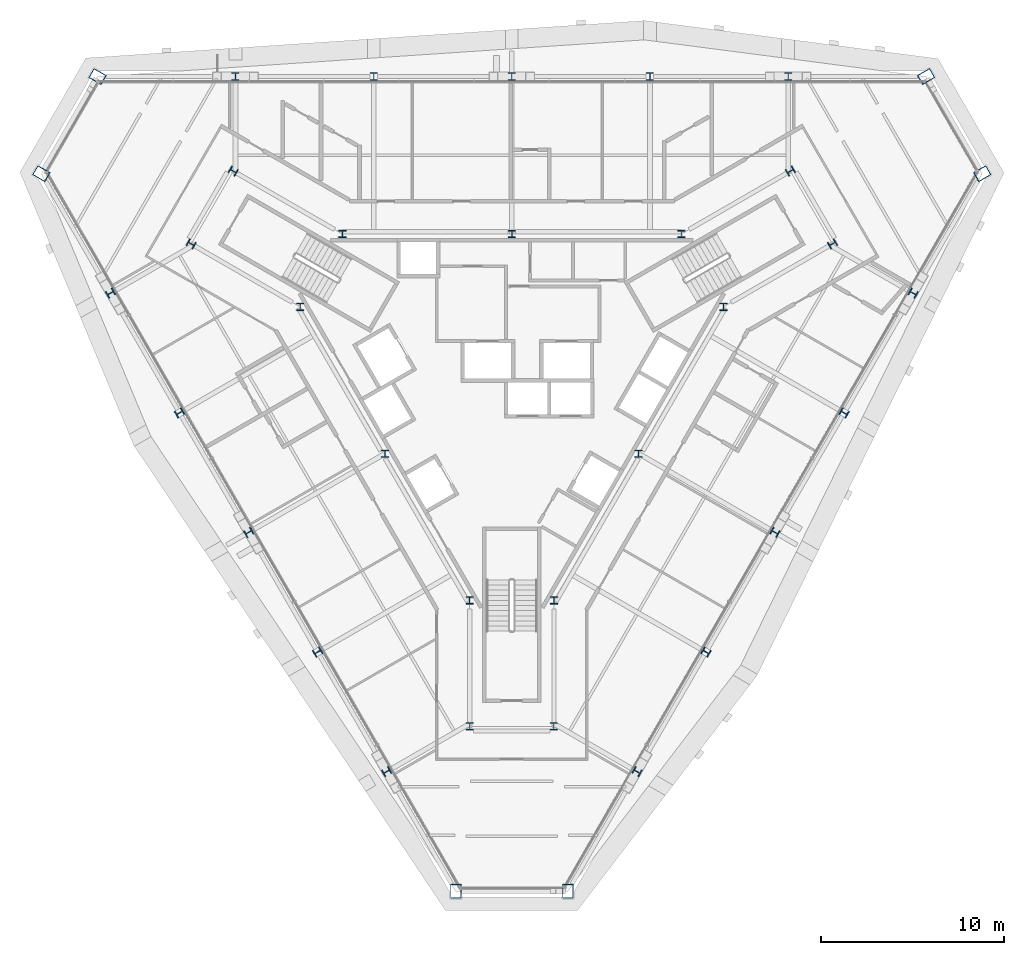
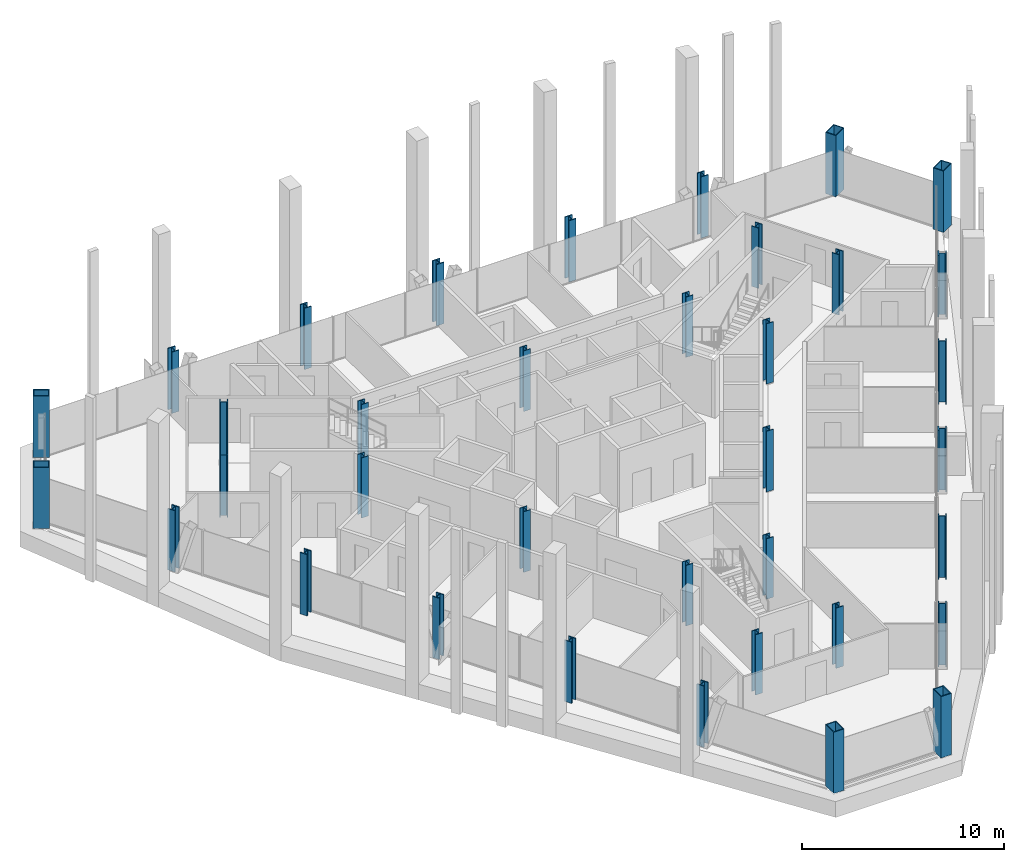
# One storey, part 1 of 14: 36 columns.
"""IFC4 building model written with IfcOpenShell, lengths in metres."""

from ifc_helpers import new_model, si_unit, direction, frame, origin, origin_2d, place, context, subcontext, project, spatial, hollow_rectangle, i_section, extrude, material, material_profile, profile_set, type_object, element, save


model = new_model("IFC4")

# Units and contexts
model_context = context("Model", 3, precision=1e-05, world=origin(), true_north=direction((0.0, 1.0)))
body_context = subcontext(model_context, "Body", "Model", "MODEL_VIEW")
ifc_project = project(units=[si_unit("LENGTHUNIT", "METRE"), si_unit("AREAUNIT", "SQUARE_METRE"), si_unit("VOLUMEUNIT", "CUBIC_METRE"), si_unit("PLANEANGLEUNIT", "RADIAN"), si_unit("MASSUNIT", "GRAM", prefix="KILO")], contexts=[model_context])

# Site, building, storey
site_placement = place(None, origin())
site = spatial("IfcSite", under=ifc_project, at=site_placement, CompositionType="ELEMENT")
building_placement = place(site_placement, origin())
building = spatial("IfcBuilding", under=site, at=building_placement, Name="Verrane Prism Tower", CompositionType="ELEMENT")
storey_placement = place(building_placement, frame((0.0, 0.0, 148.800048828125)))
storey = spatial("IfcBuildingStorey", under=building, at=storey_placement, Name="L36", CompositionType="ELEMENT", Elevation=148.800048828125)

# Columns
ifc_material_1 = material(Name="Steel A992", Category="steel")
ifc_material_profile_1 = material_profile(ifc_material_1, i_section(OverallWidth=0.406494140625, OverallDepth=0.41650390625, WebThickness=0.030029296875, FlangeThickness=0.048095703125, FilletRadius=0.01513671875, at=origin_2d()), Name="W14x257")
ifc_profile_set_1 = profile_set([ifc_material_profile_1], Name="Steel A992")
column_type_1 = type_object("IfcColumnType", Name="Core corner column W14x257", PredefinedType="COLUMN", material=ifc_profile_set_1)
for number, where, z_axis, x_axis, name in (
    (1, (17.52001953125, 7.4599609375, 0.054931640625), (0.0, 0.0, 1.0), (0.5, -0.866025403784, 0.0), "Core corner column CK-NEm L36"),
    (2, (15.219970703125, 11.43994140625, 0.054931640625), (0.0, 0.0, 1.0), (0.5, -0.866025403784, 0.0), "Core corner column CK-NEp L36"),
    (3, (-15.219970703125, 11.43994140625, 0.054931640625), (0.0, 0.0, 1.0), (0.5, 0.866025403784, 0.0), "Core corner column CK-NWm L36"),
    (4, (-17.52001953125, 7.4599609375, 0.054931640625), (0.0, 0.0, 1.0), (0.5, 0.866025403784, 0.0), "Core corner column CK-NWp L36"),
    (5, (-2.300048828125, -18.89990234375, 0.054931640625), (0.0, 0.0, 1.0), (-1.0, 0.0, 0.0), "Core corner column CK-Sm L36"),
    (6, (2.300048828125, -18.89990234375, 0.054931640625), (0.0, 0.0, 1.0), (-1.0, 0.0, 0.0), "Core corner column CK-Sp L36"),
):
    element("IfcColumn", number, at=place(storey_placement, frame(where, z_axis=z_axis, x_axis=x_axis)), inside=storey, type_object=column_type_1, Name=name, PredefinedType="COLUMN", context=body_context, shape_type="SweptSolid", body=[
        extrude(i_section(OverallWidth=0.406494140625, OverallDepth=0.41650390625, WebThickness=0.030029296875, FlangeThickness=0.048095703125, FilletRadius=0.01513671875, at=origin_2d()), origin(), (0.0, 0.0, 1.0), 3.64501953125),
    ])
ifc_material_2 = material(Name="Steel A992", Category="steel")
ifc_material_profile_2 = material_profile(ifc_material_2, i_section(OverallWidth=0.4013671875, OverallDepth=0.398681640625, WebThickness=0.02490234375, FlangeThickness=0.03955078125, FilletRadius=0.01513671875, at=origin_2d()), Name="W14x211")
ifc_profile_set_2 = profile_set([ifc_material_profile_2], Name="Steel A992")
column_type_2 = type_object("IfcColumnType", Name="Core side column W14x211", PredefinedType="COLUMN", material=ifc_profile_set_2)
for number, where, z_axis, x_axis, name in (
    (7, (11.56005859375, 4.02001953125, 0.06494140625), (0.0, 0.0, 1.0), (1.0, 0.0, 0.0), "Core side column CC-NEm L36"),
    (8, (9.260009765625, 8.0, 0.06494140625), (0.0, 0.0, 1.0), (1.0, 0.0, 0.0), "Core side column CC-NEp L36"),
):
    element("IfcColumn", number, at=place(storey_placement, frame(where, z_axis=z_axis, x_axis=x_axis)), inside=storey, type_object=column_type_2, Name=name, PredefinedType="COLUMN", context=body_context, shape_type="SweptSolid", body=[
        extrude(i_section(OverallWidth=0.4013671875, OverallDepth=0.398681640625, WebThickness=0.02490234375, FlangeThickness=0.03955078125, FilletRadius=0.01513671875, at=origin_2d()), origin(), (0.0, 0.0, 1.0), 3.635009765625),
    ])
column_1_placement = place(storey_placement, frame((0.0, 8.0, 0.034912109375), z_axis=(0.0, 0.0, 1.0), x_axis=(1.0, 0.0, 0.0)))
element("IfcColumn", 9, at=column_1_placement, inside=storey, type_object=column_type_2, Name="Core side column CC-N0 L36", PredefinedType="COLUMN", context=body_context, shape_type="SweptSolid", body=[
    extrude(i_section(OverallWidth=0.4013671875, OverallDepth=0.398681640625, WebThickness=0.02490234375, FlangeThickness=0.03955078125, FilletRadius=0.01513671875, at=origin_2d()), origin(), (0.0, 0.0, 1.0), 3.6650390625),
])
for number, where, z_axis, x_axis, name in (
    (10, (-9.260009765625, 8.0, 0.06494140625), (0.0, 0.0, 1.0), (1.0, 0.0, 0.0), "Core side column CC-NWm L36"),
    (11, (-11.56005859375, 4.02001953125, 0.06494140625), (0.0, 0.0, 1.0), (1.0, 0.0, 0.0), "Core side column CC-NWp L36"),
):
    element("IfcColumn", number, at=place(storey_placement, frame(where, z_axis=z_axis, x_axis=x_axis)), inside=storey, type_object=column_type_2, Name=name, PredefinedType="COLUMN", context=body_context, shape_type="SweptSolid", body=[
        extrude(i_section(OverallWidth=0.4013671875, OverallDepth=0.398681640625, WebThickness=0.02490234375, FlangeThickness=0.03955078125, FilletRadius=0.01513671875, at=origin_2d()), origin(), (0.0, 0.0, 1.0), 3.635009765625),
    ])
column_2_placement = place(storey_placement, frame((-6.929931640625, -4.0, 0.0400390625), z_axis=(0.0, 0.0, 1.0), x_axis=(1.0, 0.0, 0.0)))
element("IfcColumn", 12, at=column_2_placement, inside=storey, type_object=column_type_2, Name="Core side column CC-SW0 L36", PredefinedType="COLUMN", context=body_context, shape_type="SweptSolid", body=[
    extrude(i_section(OverallWidth=0.4013671875, OverallDepth=0.398681640625, WebThickness=0.02490234375, FlangeThickness=0.03955078125, FilletRadius=0.01513671875, at=origin_2d()), origin(), (0.0, 0.0, 1.0), 3.659912109375),
])
for number, where, z_axis, x_axis, name in (
    (13, (-2.300048828125, -12.02001953125, 0.050048828125), (0.0, 0.0, 1.0), (1.0, 0.0, 0.0), "Core side column CC-Sm L36"),
    (14, (2.300048828125, -12.02001953125, 0.050048828125), (0.0, 0.0, 1.0), (1.0, 0.0, 0.0), "Core side column CC-Sp L36"),
):
    element("IfcColumn", number, at=place(storey_placement, frame(where, z_axis=z_axis, x_axis=x_axis)), inside=storey, type_object=column_type_2, Name=name, PredefinedType="COLUMN", context=body_context, shape_type="SweptSolid", body=[
        extrude(i_section(OverallWidth=0.4013671875, OverallDepth=0.398681640625, WebThickness=0.02490234375, FlangeThickness=0.03955078125, FilletRadius=0.01513671875, at=origin_2d()), origin(), (0.0, 0.0, 1.0), 3.64990234375),
    ])
column_3_placement = place(storey_placement, frame((6.929931640625, -4.0, 0.0400390625), z_axis=(0.0, 0.0, 1.0), x_axis=(1.0, 0.0, 0.0)))
element("IfcColumn", 15, at=column_3_placement, inside=storey, type_object=column_type_2, Name="Core side column CC-SE0 L36", PredefinedType="COLUMN", context=body_context, shape_type="SweptSolid", body=[
    extrude(i_section(OverallWidth=0.4013671875, OverallDepth=0.398681640625, WebThickness=0.02490234375, FlangeThickness=0.03955078125, FilletRadius=0.01513671875, at=origin_2d()), origin(), (0.0, 0.0, 1.0), 3.659912109375),
])
ifc_material_3 = material(Name="Steel A572 Grade 50", Category="steel")
ifc_material_profile_3 = material_profile(ifc_material_3, hollow_rectangle(XDim=0.60009765625, YDim=0.800048828125, WallThickness=0.050048828125, at=origin_2d()), Name="BOX 800x600x50")
ifc_profile_set_3 = profile_set([ifc_material_profile_3], Name="Steel A572 Grade 50")
column_type_3 = type_object("IfcColumnType", Name="Megacolumn BOX 800x600x50", PredefinedType="COLUMN", material=ifc_profile_set_3)
for number, where, z_axis, x_axis, name in (
    (16, (22.639892578125, 16.610107421875, 0.0), (0.0, 0.0, 1.0), (0.5, -0.866025403784, 0.0), "Megacolumn MC-NE.b L36"),
    (17, (-22.639892578125, 16.610107421875, 0.0), (0.0, 0.0, 1.0), (0.5, 0.866025403784, 0.0), "Megacolumn MC-NW.a L36"),
    (18, (-25.7099609375, 11.300048828125, 0.0), (0.0, 0.0, 1.0), (0.5, 0.866025403784, 0.0), "Megacolumn MC-NW.b L36"),
    (19, (-3.06005859375, -27.909912109375, 0.0), (0.0, 0.0, 1.0), (-1.0, 0.0, 0.0), "Megacolumn MC-S.a L36"),
    (20, (3.06005859375, -27.909912109375, 0.0), (0.0, 0.0, 1.0), (-1.0, 0.0, 0.0), "Megacolumn MC-S.b L36"),
    (21, (25.7099609375, 11.300048828125, 0.0), (0.0, 0.0, 1.0), (0.5, -0.866025403784, 0.0), "Megacolumn MC-NE.a L36"),
):
    element("IfcColumn", number, at=place(storey_placement, frame(where, z_axis=z_axis, x_axis=x_axis)), inside=storey, type_object=column_type_3, Name=name, PredefinedType="COLUMN", context=body_context, shape_type="SweptSolid", body=[
        extrude(hollow_rectangle(XDim=0.60009765625, YDim=0.800048828125, WallThickness=0.050048828125, at=origin_2d()), origin(), (0.0, 0.0, 1.0), 3.699951171875),
    ])
ifc_material_4 = material(Name="Steel A992", Category="steel")
ifc_material_profile_4 = material_profile(ifc_material_4, i_section(OverallWidth=0.411376953125, OverallDepth=0.434326171875, WebThickness=0.035888671875, FlangeThickness=0.057373046875, FilletRadius=0.01513671875, at=origin_2d()), Name="W14x311")
ifc_profile_set_4 = profile_set([ifc_material_profile_4], Name="Steel A992")
column_type_4 = type_object("IfcColumnType", Name="Perimeter column W14x311", PredefinedType="COLUMN", material=ifc_profile_set_4)
for number, where, z_axis, x_axis, name in (
    (22, (15.10009765625, 16.610107421875, 0.0), (0.0, 0.0, 1.0), (1.0, 0.0, 0.0), "Perimeter column PC-N1 L36"),
    (23, (7.550048828125, 16.610107421875, 0.0), (0.0, 0.0, 1.0), (1.0, 0.0, 0.0), "Perimeter column PC-N2 L36"),
    (24, (0.0, 16.610107421875, 0.0), (0.0, 0.0, 1.0), (1.0, 0.0, 0.0), "Perimeter column PC-N3 L36"),
    (25, (-7.550048828125, 16.610107421875, 0.0), (0.0, 0.0, 1.0), (1.0, 0.0, 0.0), "Perimeter column PC-N4 L36"),
    (26, (-15.10009765625, 16.610107421875, 0.0), (0.0, 0.0, 1.0), (1.0, 0.0, 0.0), "Perimeter column PC-N5 L36"),
    (27, (-21.929931640625, 4.77001953125, 0.0), (0.0, 0.0, 1.0), (-0.5, 0.866025403784, 0.0), "Perimeter column PC-SW1 L36"),
    (28, (-18.159912109375, -1.77001953125, 0.0), (0.0, 0.0, 1.0), (-0.5, 0.866025403784, 0.0), "Perimeter column PC-SW2 L36"),
    (29, (-14.3798828125, -8.300048828125, 0.0), (0.0, 0.0, 1.0), (-0.5, 0.866025403784, 0.0), "Perimeter column PC-SW3 L36"),
    (30, (-10.610107421875, -14.840087890625, 0.0), (0.0, 0.0, 1.0), (-0.5, 0.866025403784, 0.0), "Perimeter column PC-SW4 L36"),
    (31, (-6.840087890625, -21.3798828125, 0.0), (0.0, 0.0, 1.0), (-0.5, 0.866025403784, 0.0), "Perimeter column PC-SW5 L36"),
    (32, (6.840087890625, -21.3798828125, 0.0), (0.0, 0.0, 1.0), (-0.5, -0.866025403784, 0.0), "Perimeter column PC-SE1 L36"),
    (33, (10.610107421875, -14.840087890625, 0.0), (0.0, 0.0, 1.0), (-0.5, -0.866025403784, 0.0), "Perimeter column PC-SE2 L36"),
    (34, (14.3798828125, -8.300048828125, 0.0), (0.0, 0.0, 1.0), (-0.5, -0.866025403784, 0.0), "Perimeter column PC-SE3 L36"),
    (35, (18.159912109375, -1.77001953125, 0.0), (0.0, 0.0, 1.0), (-0.5, -0.866025403784, 0.0), "Perimeter column PC-SE4 L36"),
    (36, (21.929931640625, 4.77001953125, 0.0), (0.0, 0.0, 1.0), (-0.5, -0.866025403784, 0.0), "Perimeter column PC-SE5 L36"),
):
    element("IfcColumn", number, at=place(storey_placement, frame(where, z_axis=z_axis, x_axis=x_axis)), inside=storey, type_object=column_type_4, Name=name, PredefinedType="COLUMN", context=body_context, shape_type="SweptSolid", body=[
        extrude(i_section(OverallWidth=0.411376953125, OverallDepth=0.434326171875, WebThickness=0.035888671875, FlangeThickness=0.057373046875, FilletRadius=0.01513671875, at=origin_2d()), origin(), (0.0, 0.0, 1.0), 3.699951171875),
    ])

save(model, "model.ifc")
